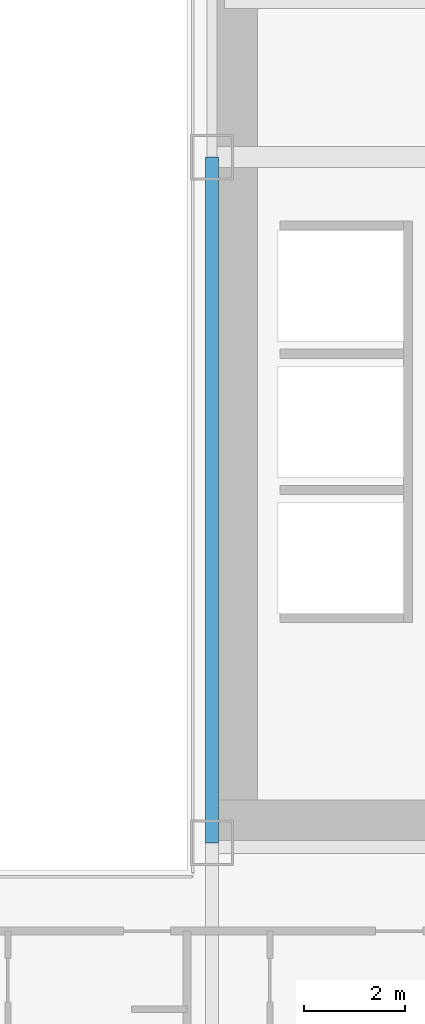
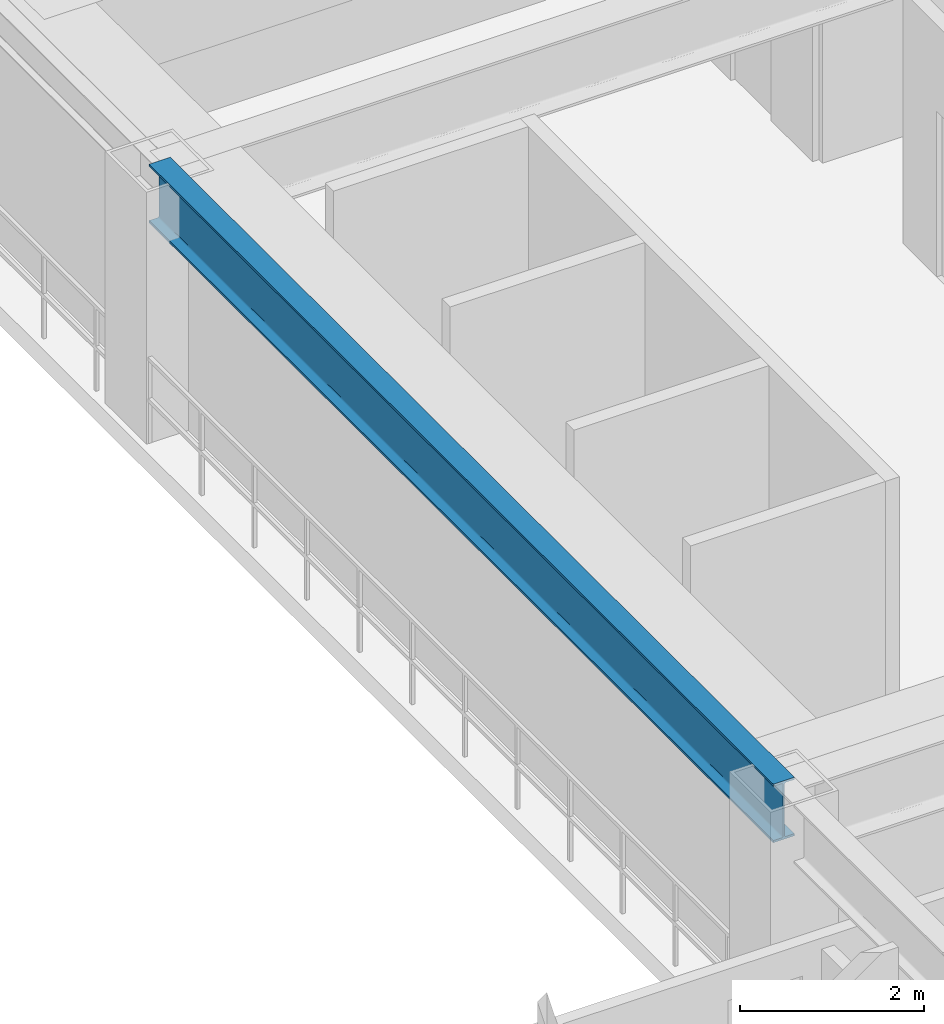
# One storey, part 12 of 38: 1 beam.
"""IFC4 building model written with IfcOpenShell, lengths in metres."""

import ifcopenshell
import ifcopenshell.guid

model = None  # the IFC model being written
_history = None  # IfcOwnerHistory: only IFC2X3 demands one
_inside = {}  # id of a spatial element -> (the spatial element, [elements in it])
_under = {}  # id of a project, library or spatial element -> (it, [spatial elements below it])
_declared = {}  # id of a project -> (the project, [libraries it declares])
_typed = {}  # id of a type object -> (the type object, [elements of that type])
_made_of = {}  # id of a material, layer set ... -> (it, [elements and type objects made of it])


def new_model(schema):
    """Start an empty IFC model of exactly this schema.

    Asked for "IFC4X3", IfcOpenShell would pick the latest addendum, in which some entities
    have other attributes; the version numbers below select the first issue.
    IFC2X3 requires an IfcOwnerHistory on every rooted entity: one is made here for all.
    """
    global model, _history
    if schema == "IFC4X3":
        model = ifcopenshell.file(schema_version=(4, 3, 0, 0))
    else:
        model = ifcopenshell.file(schema=schema)
    _inside.clear()
    _under.clear()
    _declared.clear()
    _typed.clear()
    _made_of.clear()
    _history = None
    if model.schema == "IFC2X3":
        org = make("IfcOrganization", Name="unknown")
        user = make(
            "IfcPersonAndOrganization",
            ThePerson=make("IfcPerson", FamilyName="unknown"),
            TheOrganization=org,
        )
        app = make(
            "IfcApplication",
            ApplicationDeveloper=org,
            Version="unknown",
            ApplicationFullName="unknown",
            ApplicationIdentifier="unknown",
        )
        _history = make(
            "IfcOwnerHistory",
            OwningUser=user,
            OwningApplication=app,
            ChangeAction="ADDED",
            CreationDate=0,
        )
    return model


def make(cls, **values):
    """One entity of the class cls with the attributes given. An attribute that is None is left unset."""
    return model.create_entity(
        cls, **{name: value for name, value in values.items() if value is not None}
    )


def rooted(cls, **values):
    """An entity with a GlobalId (a new one), such as an element, a storey or a relation."""
    return make(cls, GlobalId=ifcopenshell.guid.new(), OwnerHistory=_history, **values)


def si_unit(unit_type, name, prefix=None):
    """IfcSIUnit, for example si_unit("LENGTHUNIT", "METRE", prefix="MILLI")."""
    return make("IfcSIUnit", UnitType=unit_type, Prefix=prefix, Name=name)


def assignment(units):
    """IfcUnitAssignment: the units of a project."""
    return None if units is None else make("IfcUnitAssignment", Units=units)


def point(xyz):
    """IfcCartesianPoint."""
    return None if xyz is None else make("IfcCartesianPoint", Coordinates=xyz)


def direction(xyz):
    """IfcDirection."""
    return None if xyz is None else make("IfcDirection", DirectionRatios=xyz)


def frame(location, z_axis=None, x_axis=None):
    """IfcAxis2Placement3D, a coordinate frame: its origin and axes. An axis left out is left unset."""
    return make(
        "IfcAxis2Placement3D",
        Location=point(location),
        Axis=direction(z_axis),
        RefDirection=direction(x_axis),
    )


def frame_2d(location, x_axis=None):
    """IfcAxis2Placement2D, a coordinate frame in the plane: its origin and x axis."""
    return make(
        "IfcAxis2Placement2D", Location=point(location), RefDirection=direction(x_axis)
    )


def origin():
    """The frame at (0, 0, 0) with its axes left unset."""
    return frame((0.0, 0.0, 0.0))


def origin_2d():
    """The frame at (0, 0) in the plane with its x axis left unset."""
    return frame_2d((0.0, 0.0))


def place(relative_to, where):
    """IfcLocalPlacement: puts the frame where relative to a parent placement (None: the world)."""
    return make(
        "IfcLocalPlacement", PlacementRelTo=relative_to, RelativePlacement=where
    )


def context(
    kind, dimensions, precision=None, world=None, true_north=None, identifier=None
):
    """IfcGeometricRepresentationContext, for example the 3D "Model" context."""
    return make(
        "IfcGeometricRepresentationContext",
        ContextIdentifier=identifier,
        ContextType=kind,
        CoordinateSpaceDimension=dimensions,
        Precision=precision,
        WorldCoordinateSystem=world,
        TrueNorth=true_north,
    )


def subcontext(parent, identifier, kind, view, scale=None):
    """IfcGeometricRepresentationSubContext, for example "Body" below "Model"."""
    return make(
        "IfcGeometricRepresentationSubContext",
        ContextIdentifier=identifier,
        ContextType=kind,
        ParentContext=parent,
        TargetScale=scale,
        TargetView=view,
    )


def project(units=None, contexts=None):
    """IfcProject with its units and contexts."""
    return rooted(
        "IfcProject",
        Name="project",
        RepresentationContexts=contexts,
        UnitsInContext=assignment(units),
    )


def spatial(cls, under=None, at=None, **own):
    """A site, building, storey or space (cls), placed at a placement, below another one or the project."""
    s = rooted(cls, ObjectPlacement=at, **own)
    if under is not None:
        _under.setdefault(under.id(), (under, []))[1].append(s)
    return s


def profile(cls, at=None, kind="AREA", **sizes):
    """A parametric profile (cls). Its sizes go by their IFC names, for example OverallWidth=200.0."""
    return make(cls, ProfileType=kind, Position=at, **sizes)


def i_section(**sizes):
    """IfcIShapeProfileDef."""
    return profile("IfcIShapeProfileDef", **sizes)


def extrude(swept, where, along, depth):
    """IfcExtrudedAreaSolid: the profile swept, set in the frame where, extruded along a direction by depth."""
    return make(
        "IfcExtrudedAreaSolid",
        SweptArea=swept,
        Position=where,
        ExtrudedDirection=direction(along),
        Depth=depth,
    )


def shape(context_of_items, identifier, shape_type, items):
    """IfcShapeRepresentation: the items that make up one representation, for example the "Body"."""
    return make(
        "IfcShapeRepresentation",
        ContextOfItems=context_of_items,
        RepresentationIdentifier=identifier,
        RepresentationType=shape_type,
        Items=items,
    )


def source(mapping_origin, context_of_items, identifier, shape_type, items):
    """IfcRepresentationMap: a shape defined once, which mapped items show again and again."""
    return make(
        "IfcRepresentationMap",
        MappingOrigin=mapping_origin,
        MappedRepresentation=shape(context_of_items, identifier, shape_type, items),
    )


def transform(
    local_origin,
    x_axis=None,
    y_axis=None,
    z_axis=None,
    scale=None,
    scale2=None,
    scale3=None,
    uniform=True,
):
    """IfcCartesianTransformationOperator3D, or its non-uniform kind. x_axis, y_axis, z_axis: its Axis1, 2, 3."""
    if uniform:
        return make(
            "IfcCartesianTransformationOperator3D",
            Axis1=direction(x_axis),
            Axis2=direction(y_axis),
            LocalOrigin=point(local_origin),
            Scale=scale,
            Axis3=direction(z_axis),
        )
    return make(
        "IfcCartesianTransformationOperator3DnonUniform",
        Axis1=direction(x_axis),
        Axis2=direction(y_axis),
        LocalOrigin=point(local_origin),
        Scale=scale,
        Axis3=direction(z_axis),
        Scale2=scale2,
        Scale3=scale3,
    )


def mapped(mapping_source, mapping_target):
    """IfcMappedItem: shows the shape of a source again, moved by a transform."""
    return make(
        "IfcMappedItem", MappingSource=mapping_source, MappingTarget=mapping_target
    )


def material(Name=None, Category=None):
    """IfcMaterial."""
    return make("IfcMaterial", Name=Name, Category=Category)


def material_profile(
    of_material, cross_section, Name=None, Category=None, Priority=None
):
    """IfcMaterialProfile: a cross section and its material."""
    return make(
        "IfcMaterialProfile",
        Name=Name,
        Material=of_material,
        Profile=cross_section,
        Priority=Priority,
        Category=Category,
    )


def profile_set(profiles, Name=None, composite=None):
    """IfcMaterialProfileSet."""
    return make(
        "IfcMaterialProfileSet",
        Name=Name,
        MaterialProfiles=profiles,
        CompositeProfile=composite,
    )


def made_of(thing, what):
    """Note that an element or type object is made of a material, layer set ...; save() writes the relation."""
    if what is not None:
        _made_of.setdefault(what.id(), (what, []))[1].append(thing)
    return thing


def type_object(cls, material=None, **own):
    """A type object (cls), such as IfcWallType, which elements share."""
    return made_of(rooted(cls, **own), material)


def element(
    cls,
    number,
    at=None,
    inside=None,
    cuts=None,
    type_object=None,
    material=None,
    context=None,
    identifier="Body",
    shape_type=None,
    held_by="IfcProductDefinitionShape",
    body=None,
    shapes=None,
    **own,
):
    """One element of the class cls, such as IfcWall. Its Tag is "e" and its number.

    at: its placement. inside: the storey or other place that contains it. cuts: it is an
    opening in that element (IfcRelVoidsElement). A single representation is given by context,
    identifier, shape_type and body (its items); several are given by shapes. held_by: the class
    of the entity that holds the representations. save() writes the other relations.
    """
    e = rooted(cls, Tag="e%d" % number, ObjectPlacement=at, **own)
    if body is not None:
        shapes = [shape(context, identifier, shape_type, body)]
    if shapes is not None:
        e.Representation = make(held_by, Representations=shapes)
    if inside is not None:
        _inside.setdefault(inside.id(), (inside, []))[1].append(e)
    if cuts is not None:
        rooted(
            "IfcRelVoidsElement", RelatingBuildingElement=cuts, RelatedOpeningElement=e
        )
    if type_object is not None:
        _typed.setdefault(type_object.id(), (type_object, []))[1].append(e)
    return made_of(e, material)


def aggregate(whole, parts):
    """IfcRelAggregates: a whole, such as a stair, and the parts it consists of."""
    return rooted("IfcRelAggregates", RelatingObject=whole, RelatedObjects=parts)


def save(model, path):
    """Write the relations noted so far, then the file.

    IfcRelAggregates (storeys below a building ...), IfcRelContainedInSpatialStructure (elements
    in a storey), IfcRelDefinesByType, IfcRelAssociatesMaterial and IfcRelDeclares: one each for
    every whole, place, type object, material and project.
    """
    for whole, parts in _under.values():
        aggregate(whole, parts)
    for where, things in _inside.values():
        rooted(
            "IfcRelContainedInSpatialStructure",
            RelatedElements=things,
            RelatingStructure=where,
        )
    for kind, things in _typed.values():
        rooted("IfcRelDefinesByType", RelatedObjects=things, RelatingType=kind)
    for what, things in _made_of.values():
        rooted("IfcRelAssociatesMaterial", RelatedObjects=things, RelatingMaterial=what)
    for by, libraries in _declared.values():
        rooted("IfcRelDeclares", RelatingContext=by, RelatedDefinitions=libraries)
    model.write(path)


model = new_model("IFC4")

# Units and contexts
model_context = context("Model", 3, precision=1e-05, world=origin(), true_north=direction((0.0, 1.0)))
body_context = subcontext(model_context, "Body", "Model", "MODEL_VIEW")
ifc_project = project(units=[si_unit("LENGTHUNIT", "METRE"), si_unit("AREAUNIT", "SQUARE_METRE"), si_unit("VOLUMEUNIT", "CUBIC_METRE"), si_unit("PLANEANGLEUNIT", "RADIAN"), si_unit("MASSUNIT", "GRAM", prefix="KILO")], contexts=[model_context])

# Site, building, storey
site_placement = place(None, origin())
site = spatial("IfcSite", under=ifc_project, at=site_placement, CompositionType="ELEMENT")
building_placement = place(site_placement, origin())
building = spatial("IfcBuilding", under=site, at=building_placement, Name="Ocotamira Hotel", CompositionType="ELEMENT")
storey_placement = place(building_placement, frame((0.0, 0.0, 74.39990234375)))
storey = spatial("IfcBuildingStorey", under=building, at=storey_placement, Name="L18", CompositionType="ELEMENT", Elevation=74.39990234375)

# Beam
ifc_material = material(Name="Steel ASTM A992 Grade 50", Category="steel")
ifc_material_profile = material_profile(ifc_material, i_section(OverallWidth=0.26611328125, OverallDepth=0.779052734375, WebThickness=0.0166015625, FlangeThickness=0.030029296875, FilletRadius=0.01806640625, at=origin_2d()), Name="W30X148")
ifc_profile_set = profile_set([ifc_material_profile], Name="Steel ASTM A992 Grade 50")
beam_type = type_object("IfcBeamType", Name="BM-GIRD-W30X148", PredefinedType="BEAM", material=ifc_profile_set)
shared_shape = source(origin(), body_context, "Body", "SweptSolid", [
    extrude(i_section(OverallWidth=0.26611328125, OverallDepth=0.779052734375, WebThickness=0.0166015625, FlangeThickness=0.030029296875, FilletRadius=0.01806640625, at=origin_2d()), origin(), (0.0, 0.0, 1.0), 13.599853515625),
])
beam_placement = place(storey_placement, frame((40.5, 14.550048828125, 2.960693359375), z_axis=(0.0, 1.0, 0.0), x_axis=(-1.0, 0.0, 0.0)))
element("IfcBeam", 1, at=beam_placement, inside=storey, type_object=beam_type, Name="L18 Beam X40.5 Y14.55-28.15", PredefinedType="BEAM", context=body_context, shape_type="MappedRepresentation", body=[
    mapped(shared_shape, transform((0.0, 0.0, 0.0), scale=1.0)),
])

save(model, "model.ifc")
